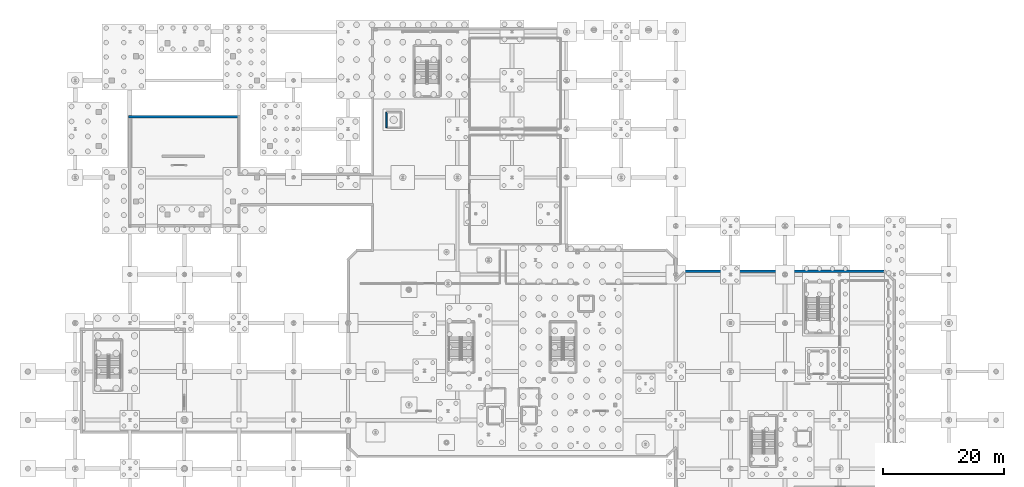
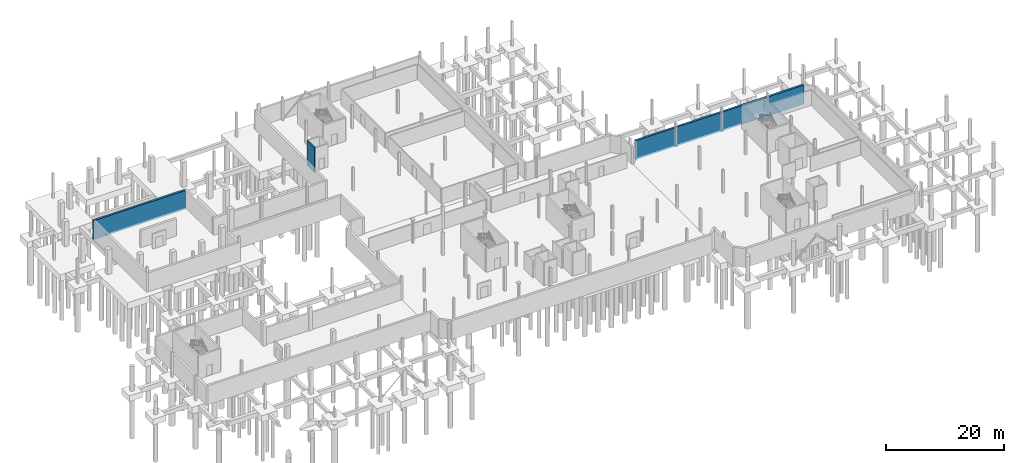
# One storey, part 28 of 37: 3 walls.
"""IFC4 building model written with IfcOpenShell, lengths in metres."""

from ifc_helpers import new_model, si_unit, direction, frame, frame_2d, origin, place, context, subcontext, project, spatial, rectangle, extrude, material, layer, layer_set, type_object, element, save


model = new_model("IFC4")

# Units and contexts
model_context = context("Model", 3, precision=1e-05, world=origin(), true_north=direction((0.0, 1.0)))
body_context = subcontext(model_context, "Body", "Model", "MODEL_VIEW")
ifc_project = project(units=[si_unit("LENGTHUNIT", "METRE"), si_unit("AREAUNIT", "SQUARE_METRE"), si_unit("VOLUMEUNIT", "CUBIC_METRE"), si_unit("PLANEANGLEUNIT", "RADIAN"), si_unit("MASSUNIT", "GRAM", prefix="KILO"), si_unit("THERMODYNAMICTEMPERATUREUNIT", "KELVIN"), si_unit("POWERUNIT", "WATT")], contexts=[model_context])

# Site, building, storey
site_placement = place(None, origin())
site = spatial("IfcSite", under=ifc_project, at=site_placement, CompositionType="ELEMENT")
building_placement = place(site_placement, origin())
building = spatial("IfcBuilding", under=site, at=building_placement, Name="Zelmaris Science Centre", CompositionType="ELEMENT")
storey_placement = place(building_placement, frame((0.0, 0.0, -4.800048828125)))
storey = spatial("IfcBuildingStorey", under=building, at=storey_placement, Name="B1", CompositionType="ELEMENT", Elevation=-4.800048828125)

# Walls
ifc_material = material(Name="Concrete C40/50", Category="concrete")
ifc_layer_1 = layer(ifc_material, 0.25, Name="Concrete C40/50")
ifc_layer_set_1 = layer_set([ifc_layer_1], Name="Concrete C40/50")
wall_type_1 = type_object("IfcWallType", Name="Core Shear Wall CW-S2 250mm", PredefinedType="SOLIDWALL", material=ifc_layer_set_1)
wall_1_placement = place(storey_placement, frame((60.27490234375, 74.77490234375, -0.349853515625), z_axis=(0.0, 0.0, 1.0), x_axis=(0.0, -1.0, 0.0)))
element("IfcWall", 1, at=wall_1_placement, inside=storey, type_object=wall_type_1, Name="B1 LP-03 lift shaft wall -x", PredefinedType="SOLIDWALL", context=body_context, shape_type="SweptSolid", body=[
    extrude(rectangle(XDim=2.5498046875, YDim=0.25, at=frame_2d((1.27490234375, 0.0))), origin(), (0.0, 0.0, 1.0), 5.14990234375),
])
ifc_layer_2 = layer(ifc_material, 0.39990234375, Name="Concrete C40/50")
ifc_layer_set_2 = layer_set([ifc_layer_2], Name="Concrete C40/50")
wall_type_2 = type_object("IfcWallType", Name="Retaining Wall RW-01 400mm", PredefinedType="USERDEFINED", material=ifc_layer_set_2)
wall_2_placement = place(storey_placement, frame((17.800048828125, 74.0, -0.349853515625), z_axis=(0.0, 0.0, 1.0), x_axis=(1.0, 0.0, 0.0)))
element("IfcWall", 2, at=wall_2_placement, inside=storey, type_object=wall_type_2, Name="B1 Perimeter retaining wall 13", ObjectType="RETAININGWALL", PredefinedType="USERDEFINED", context=body_context, shape_type="SweptSolid", body=[
    extrude(rectangle(XDim=17.999755859375, YDim=0.39990234375, at=frame_2d((9.0, 0.0))), origin(), (0.0, 0.0, 1.0), 3.89990234375),
])
wall_3_placement = place(storey_placement, frame((109.30126953125, 48.5, -0.349853515625), z_axis=(0.0, 0.0, 1.0), x_axis=(1.0, 0.0, 0.0)))
element("IfcWall", 3, at=wall_3_placement, inside=storey, type_object=wall_type_2, Name="B1 Perimeter retaining wall 23", ObjectType="RETAININGWALL", PredefinedType="USERDEFINED", context=body_context, shape_type="SweptSolid", body=[
    extrude(rectangle(XDim=32.99755859375, YDim=0.39990234375, at=frame_2d((16.498779296875, 0.0))), origin(), (0.0, 0.0, 1.0), 3.89990234375),
])

save(model, "model.ifc")
